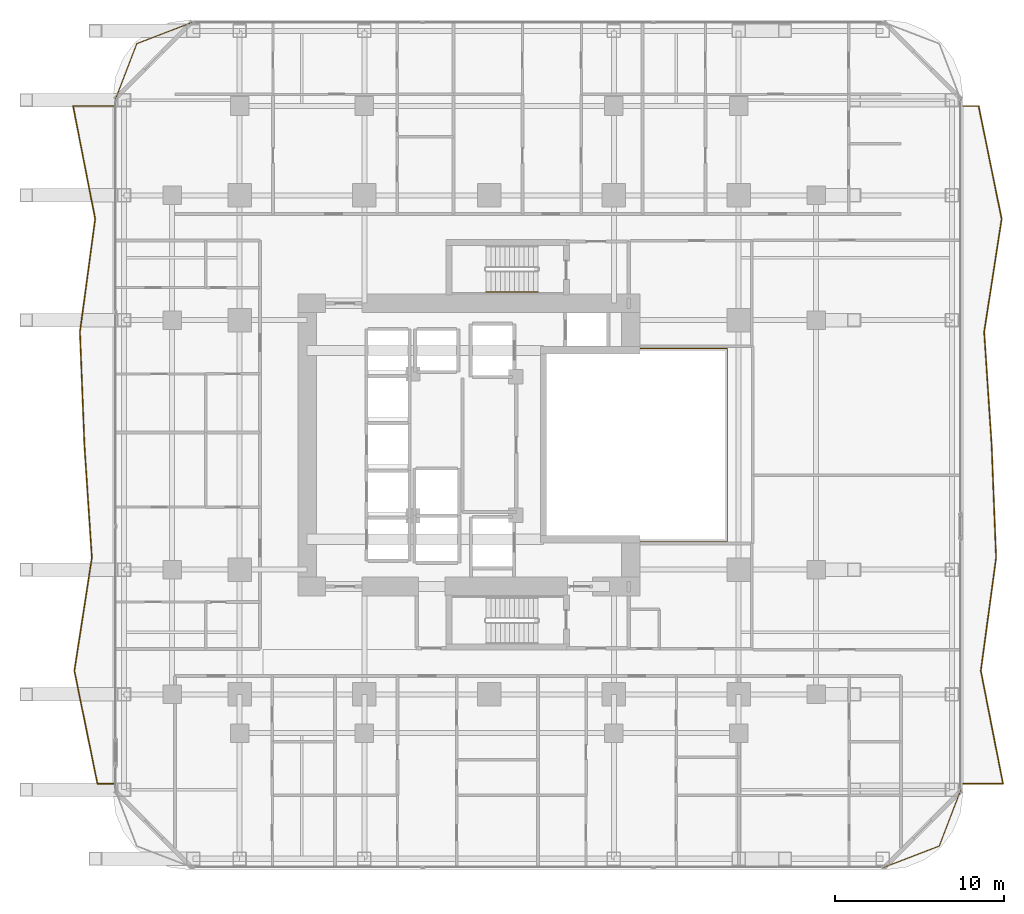
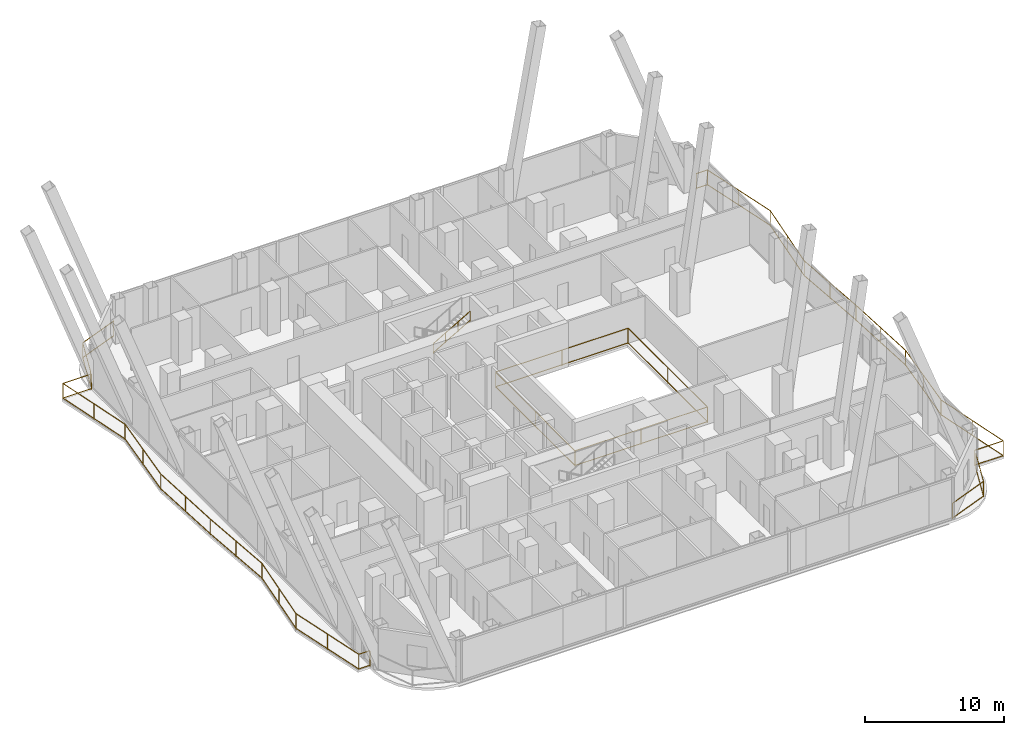
# One storey, part 32 of 33: 6 railings.
"""IFC4 building model written with IfcOpenShell, lengths in metres."""

from ifc_helpers import new_model, si_unit, direction, frame, origin, origin_2d, place, context, subcontext, project, spatial, rectangle, extrude, material, type_object, element, save


model = new_model("IFC4")

# Units and contexts
model_context = context("Model", 3, precision=1e-05, world=origin(), true_north=direction((0.0, 1.0)))
body_context = subcontext(model_context, "Body", "Model", "MODEL_VIEW")
ifc_project = project(units=[si_unit("LENGTHUNIT", "METRE"), si_unit("AREAUNIT", "SQUARE_METRE"), si_unit("VOLUMEUNIT", "CUBIC_METRE"), si_unit("PLANEANGLEUNIT", "RADIAN"), si_unit("MASSUNIT", "GRAM", prefix="KILO")], contexts=[model_context])

# Site, building, storey
site_placement = place(None, origin())
site = spatial("IfcSite", under=ifc_project, at=site_placement, CompositionType="ELEMENT")
building_placement = place(site_placement, origin())
building = spatial("IfcBuilding", under=site, at=building_placement, Name="Khorvyn Point Tower", CompositionType="ELEMENT")
storey_placement = place(building_placement, frame((0.0, 0.0, 38.39990234375)))
storey = spatial("IfcBuildingStorey", under=building, at=storey_placement, Name="L10", CompositionType="ELEMENT", Elevation=38.39990234375)

# Railings
ifc_material_1 = material(Name="Stainless steel 1.4401 and laminated glass", Category="steel")
railing_type_1 = type_object("IfcRailingType", Name="Crystal Atrium Smoke-Rated Perimeter Guardrail 1400", PredefinedType="GUARDRAIL", material=ifc_material_1)
railing_1_placement = place(storey_placement, frame((3.080078125, -5.719970703125, 0.0)))
element("IfcRailing", 1, at=railing_1_placement, inside=storey, type_object=railing_type_1, Name="L10 Crystal Atrium Perimeter Guardrail", PredefinedType="GUARDRAIL", context=body_context, shape_type="SweptSolid", body=[
    extrude(rectangle(XDim=0.048095703125, YDim=0.048095703125, at=origin_2d()), frame((0.0, 0.0, 1.3759765625), z_axis=(1.0, 0.0, 0.0), x_axis=(0.0, 1.0, 0.0)), (0.0, 0.0, 1.0), 11.0400390625),
    extrude(rectangle(XDim=0.048095703125, YDim=0.048095703125, at=origin_2d()), frame((0.0, 0.0, 0.080078125), z_axis=(1.0, 0.0, 0.0), x_axis=(0.0, 1.0, 0.0)), (0.0, 0.0, 1.0), 11.0400390625),
    extrude(rectangle(XDim=0.048095703125, YDim=0.048095703125, at=origin_2d()), frame((11.0400390625, 0.0, 1.3759765625), z_axis=(0.0, 1.0, 0.0), x_axis=(-1.0, 0.0, 0.0)), (0.0, 0.0, 1.0), 11.43994140625),
    extrude(rectangle(XDim=0.048095703125, YDim=0.048095703125, at=origin_2d()), frame((11.0400390625, 0.0, 0.080078125), z_axis=(0.0, 1.0, 0.0), x_axis=(-1.0, 0.0, 0.0)), (0.0, 0.0, 1.0), 11.43994140625),
    extrude(rectangle(XDim=0.048095703125, YDim=0.048095703125, at=origin_2d()), frame((11.0400390625, 11.43994140625, 1.3759765625), z_axis=(-1.0, 0.0, 0.0), x_axis=(0.0, -1.0, 0.0)), (0.0, 0.0, 1.0), 11.0400390625),
    extrude(rectangle(XDim=0.048095703125, YDim=0.048095703125, at=origin_2d()), frame((11.0400390625, 11.43994140625, 0.080078125), z_axis=(-1.0, 0.0, 0.0), x_axis=(0.0, -1.0, 0.0)), (0.0, 0.0, 1.0), 11.0400390625),
    extrude(rectangle(XDim=0.048095703125, YDim=0.048095703125, at=origin_2d()), frame((0.0, 11.43994140625, 1.3759765625), z_axis=(0.0, -1.0, 0.0), x_axis=(1.0, 0.0, 0.0)), (0.0, 0.0, 1.0), 11.409912109375),
    extrude(rectangle(XDim=0.048095703125, YDim=0.048095703125, at=origin_2d()), frame((0.0, 11.43994140625, 0.080078125), z_axis=(0.0, -1.0, 0.0), x_axis=(1.0, 0.0, 0.0)), (0.0, 0.0, 1.0), 11.409912109375),
    extrude(rectangle(XDim=0.0419921875, YDim=0.0419921875, at=origin_2d()), origin(), (0.0, 0.0, 1.0), 1.351806640625),
    extrude(rectangle(XDim=0.0419921875, YDim=0.0419921875, at=origin_2d()), frame((5.52001953125, 0.0, 0.0)), (0.0, 0.0, 1.0), 1.351806640625),
    extrude(rectangle(XDim=0.0419921875, YDim=0.0419921875, at=origin_2d()), frame((11.0400390625, 0.0, 0.0)), (0.0, 0.0, 1.0), 1.351806640625),
    extrude(rectangle(XDim=0.0419921875, YDim=0.0419921875, at=origin_2d()), frame((11.0400390625, 5.719970703125, 0.0)), (0.0, 0.0, 1.0), 1.351806640625),
    extrude(rectangle(XDim=0.0419921875, YDim=0.0419921875, at=origin_2d()), frame((11.0400390625, 11.43994140625, 0.0)), (0.0, 0.0, 1.0), 1.351806640625),
    extrude(rectangle(XDim=0.0419921875, YDim=0.0419921875, at=origin_2d()), frame((5.52001953125, 11.43994140625, 0.0)), (0.0, 0.0, 1.0), 1.351806640625),
    extrude(rectangle(XDim=0.0419921875, YDim=0.0419921875, at=origin_2d()), frame((0.0, 11.43994140625, 0.0)), (0.0, 0.0, 1.0), 1.351806640625),
    extrude(rectangle(XDim=0.0419921875, YDim=0.0419921875, at=origin_2d()), frame((0.0, 5.73486328125, 0.0)), (0.0, 0.0, 1.0), 1.351806640625),
    extrude(rectangle(XDim=0.0419921875, YDim=0.0419921875, at=origin_2d()), frame((0.0, 0.030029296875, 0.0)), (0.0, 0.0, 1.0), 1.351806640625),
])
ifc_material_2 = material(Name="Anodised aluminium 6063-T6 and laminated safety glass", Category="aluminium")
railing_type_2 = type_object("IfcRailingType", Name="Laminated Glass and Aluminium Balcony Guardrail 1400", PredefinedType="BALUSTRADE", material=ifc_material_2)
railing_2_placement = place(storey_placement, frame((-17.57080078125, 25.073974609375, 0.0)))
element("IfcRailing", 2, at=railing_2_placement, inside=storey, type_object=railing_type_2, Name="L10 Rounded Corner Edge Guardrail NW", PredefinedType="BALUSTRADE", context=body_context, shape_type="SweptSolid", body=[
    extrude(rectangle(XDim=0.048095703125, YDim=0.048095703125, at=origin_2d()), frame((0.0, 0.0, 1.3759765625), z_axis=(-0.933583807283, -0.358359142172, 0.0), x_axis=(0.358359142172, -0.933583807283, 0.0)), (0.0, 0.0, 1.0), 3.56298828125),
    extrude(rectangle(XDim=0.048095703125, YDim=0.048095703125, at=origin_2d()), frame((0.0, 0.0, 0.080078125), z_axis=(-0.933583807283, -0.358359142172, 0.0), x_axis=(0.358359142172, -0.933583807283, 0.0)), (0.0, 0.0, 1.0), 3.56298828125),
    extrude(rectangle(XDim=0.048095703125, YDim=0.048095703125, at=origin_2d()), frame((-3.326416015625, -1.27685546875, 1.3759765625), z_axis=(-0.358359142172, -0.933583807283, 0.0), x_axis=(0.933583807283, -0.358359142172, 0.0)), (0.0, 0.0, 1.0), 3.56298828125),
    extrude(rectangle(XDim=0.048095703125, YDim=0.048095703125, at=origin_2d()), frame((-3.326416015625, -1.27685546875, 0.080078125), z_axis=(-0.358359142172, -0.933583807283, 0.0), x_axis=(0.933583807283, -0.358359142172, 0.0)), (0.0, 0.0, 1.0), 3.56298828125),
    extrude(rectangle(XDim=0.0419921875, YDim=0.0419921875, at=origin_2d()), origin(), (0.0, 0.0, 1.0), 1.351806640625),
    extrude(rectangle(XDim=0.0419921875, YDim=0.0419921875, at=origin_2d()), frame((-3.326416015625, -1.27685546875, 0.0)), (0.0, 0.0, 1.0), 1.351806640625),
    extrude(rectangle(XDim=0.0419921875, YDim=0.0419921875, at=origin_2d()), frame((-4.603271484375, -4.603271484375, 0.0)), (0.0, 0.0, 1.0), 1.351806640625),
])
railing_3_placement = place(storey_placement, frame((23.370849609375, -25.073974609375, 0.0)))
element("IfcRailing", 3, at=railing_3_placement, inside=storey, type_object=railing_type_2, Name="L10 Rounded Corner Edge Guardrail SE", PredefinedType="BALUSTRADE", context=body_context, shape_type="SweptSolid", body=[
    extrude(rectangle(XDim=0.048095703125, YDim=0.048095703125, at=origin_2d()), frame((0.0, 0.0, 1.3759765625), z_axis=(0.933575007025, 0.358382067435, 0.0), x_axis=(-0.358382067435, 0.933575007025, 0.0)), (0.0, 0.0, 1.0), 3.562744140625),
    extrude(rectangle(XDim=0.048095703125, YDim=0.048095703125, at=origin_2d()), frame((0.0, 0.0, 0.080078125), z_axis=(0.933575007025, 0.358382067435, 0.0), x_axis=(-0.358382067435, 0.933575007025, 0.0)), (0.0, 0.0, 1.0), 3.562744140625),
    extrude(rectangle(XDim=0.048095703125, YDim=0.048095703125, at=origin_2d()), frame((3.326171875, 1.27685546875, 1.3759765625), z_axis=(0.35841886047, 0.933560882031, 0.0), x_axis=(-0.933560882031, 0.35841886047, 0.0)), (0.0, 0.0, 1.0), 3.563232421875),
    extrude(rectangle(XDim=0.048095703125, YDim=0.048095703125, at=origin_2d()), frame((3.326171875, 1.27685546875, 0.080078125), z_axis=(0.35841886047, 0.933560882031, 0.0), x_axis=(-0.933560882031, 0.35841886047, 0.0)), (0.0, 0.0, 1.0), 3.563232421875),
    extrude(rectangle(XDim=0.0419921875, YDim=0.0419921875, at=origin_2d()), origin(), (0.0, 0.0, 1.0), 1.351806640625),
    extrude(rectangle(XDim=0.0419921875, YDim=0.0419921875, at=origin_2d()), frame((3.326171875, 1.27685546875, 0.0)), (0.0, 0.0, 1.0), 1.351806640625),
    extrude(rectangle(XDim=0.0419921875, YDim=0.0419921875, at=origin_2d()), frame((4.603271484375, 4.603271484375, 0.0)), (0.0, 0.0, 1.0), 1.351806640625),
])
railing_4_placement = place(storey_placement, frame((28.10009765625, -20.10009765625, 0.0)))
element("IfcRailing", 4, at=railing_4_placement, inside=storey, type_object=railing_type_2, Name="L10 East Balcony Guardrail", PredefinedType="BALUSTRADE", context=body_context, shape_type="SweptSolid", body=[
    extrude(rectangle(XDim=0.048095703125, YDim=0.048095703125, at=origin_2d()), frame((0.0, 0.0, 1.3759765625), z_axis=(1.0, 0.0, 0.0), x_axis=(0.0, 1.0, 0.0)), (0.0, 0.0, 1.0), 2.37841796875),
    extrude(rectangle(XDim=0.048095703125, YDim=0.048095703125, at=origin_2d()), frame((0.0, 0.0, 0.080078125), z_axis=(1.0, 0.0, 0.0), x_axis=(0.0, 1.0, 0.0)), (0.0, 0.0, 1.0), 2.37841796875),
    extrude(rectangle(XDim=0.048095703125, YDim=0.048095703125, at=origin_2d()), frame((2.37841796875, 0.0, 1.3759765625), z_axis=(-0.192339516388, 0.981328441673, 0.0), x_axis=(-0.981328441673, -0.192339516388, 0.0)), (0.0, 0.0, 1.0), 6.82763671875),
    extrude(rectangle(XDim=0.048095703125, YDim=0.048095703125, at=origin_2d()), frame((2.37841796875, 0.0, 0.080078125), z_axis=(-0.192339516388, 0.981328441673, 0.0), x_axis=(-0.981328441673, -0.192339516388, 0.0)), (0.0, 0.0, 1.0), 6.82763671875),
    extrude(rectangle(XDim=0.048095703125, YDim=0.048095703125, at=origin_2d()), frame((1.065185546875, 6.7001953125, 1.3759765625), z_axis=(0.133757826576, 0.99101404825, 0.0), x_axis=(-0.99101404825, 0.133757826576, 0.0)), (0.0, 0.0, 1.0), 6.7607421875),
    extrude(rectangle(XDim=0.048095703125, YDim=0.048095703125, at=origin_2d()), frame((1.065185546875, 6.7001953125, 0.080078125), z_axis=(0.133757826576, 0.99101404825, 0.0), x_axis=(-0.99101404825, 0.133757826576, 0.0)), (0.0, 0.0, 1.0), 6.7607421875),
    extrude(rectangle(XDim=0.048095703125, YDim=0.048095703125, at=origin_2d()), frame((1.969482421875, 13.400146484375, 1.3759765625), z_axis=(-0.039469275606, 0.999220784553, 0.0), x_axis=(-0.999220784553, -0.039469275606, 0.0)), (0.0, 0.0, 1.0), 6.705078125),
    extrude(rectangle(XDim=0.048095703125, YDim=0.048095703125, at=origin_2d()), frame((1.969482421875, 13.400146484375, 0.080078125), z_axis=(-0.039469275606, 0.999220784553, 0.0), x_axis=(-0.999220784553, -0.039469275606, 0.0)), (0.0, 0.0, 1.0), 6.705078125),
    extrude(rectangle(XDim=0.048095703125, YDim=0.048095703125, at=origin_2d()), frame((1.704833984375, 20.10009765625, 1.3759765625), z_axis=(-0.06588430605, 0.997827268728, 0.0), x_axis=(-0.997827268728, -0.06588430605, 0.0)), (0.0, 0.0, 1.0), 6.714599609375),
    extrude(rectangle(XDim=0.048095703125, YDim=0.048095703125, at=origin_2d()), frame((1.704833984375, 20.10009765625, 0.080078125), z_axis=(-0.06588430605, 0.997827268728, 0.0), x_axis=(-0.997827268728, -0.06588430605, 0.0)), (0.0, 0.0, 1.0), 6.714599609375),
    extrude(rectangle(XDim=0.048095703125, YDim=0.048095703125, at=origin_2d()), frame((1.262451171875, 26.800048828125, 1.3759765625), z_axis=(0.152901402599, 0.988241448778, 0.0), x_axis=(-0.988241448778, 0.152901402599, 0.0)), (0.0, 0.0, 1.0), 6.77978515625),
    extrude(rectangle(XDim=0.048095703125, YDim=0.048095703125, at=origin_2d()), frame((1.262451171875, 26.800048828125, 0.080078125), z_axis=(0.152901402599, 0.988241448778, 0.0), x_axis=(-0.988241448778, 0.152901402599, 0.0)), (0.0, 0.0, 1.0), 6.77978515625),
    extrude(rectangle(XDim=0.048095703125, YDim=0.048095703125, at=origin_2d()), frame((2.299072265625, 33.5, 1.3759765625), z_axis=(-0.19982920422, 0.97983074515, 0.0), x_axis=(-0.97983074515, -0.19982920422, 0.0)), (0.0, 0.0, 1.0), 6.838134765625),
    extrude(rectangle(XDim=0.048095703125, YDim=0.048095703125, at=origin_2d()), frame((2.299072265625, 33.5, 0.080078125), z_axis=(-0.19982920422, 0.97983074515, 0.0), x_axis=(-0.97983074515, -0.19982920422, 0.0)), (0.0, 0.0, 1.0), 6.838134765625),
    extrude(rectangle(XDim=0.048095703125, YDim=0.048095703125, at=origin_2d()), frame((0.9326171875, 40.2001953125, 1.3759765625), z_axis=(-1.0, 0.0, 0.0), x_axis=(0.0, -1.0, 0.0)), (0.0, 0.0, 1.0), 0.9326171875),
    extrude(rectangle(XDim=0.048095703125, YDim=0.048095703125, at=origin_2d()), frame((0.9326171875, 40.2001953125, 0.080078125), z_axis=(-1.0, 0.0, 0.0), x_axis=(0.0, -1.0, 0.0)), (0.0, 0.0, 1.0), 0.9326171875),
    extrude(rectangle(XDim=0.0419921875, YDim=0.0419921875, at=origin_2d()), origin(), (0.0, 0.0, 1.0), 1.351806640625),
    extrude(rectangle(XDim=0.0419921875, YDim=0.0419921875, at=origin_2d()), frame((2.37841796875, 0.0, 0.0)), (0.0, 0.0, 1.0), 1.351806640625),
    extrude(rectangle(XDim=0.0419921875, YDim=0.0419921875, at=origin_2d()), frame((1.7216796875, 3.35009765625, 0.0)), (0.0, 0.0, 1.0), 1.351806640625),
    extrude(rectangle(XDim=0.0419921875, YDim=0.0419921875, at=origin_2d()), frame((1.065185546875, 6.7001953125, 0.0)), (0.0, 0.0, 1.0), 1.351806640625),
    extrude(rectangle(XDim=0.0419921875, YDim=0.0419921875, at=origin_2d()), frame((1.517333984375, 10.05029296875, 0.0)), (0.0, 0.0, 1.0), 1.351806640625),
    extrude(rectangle(XDim=0.0419921875, YDim=0.0419921875, at=origin_2d()), frame((1.969482421875, 13.400146484375, 0.0)), (0.0, 0.0, 1.0), 1.351806640625),
    extrude(rectangle(XDim=0.0419921875, YDim=0.0419921875, at=origin_2d()), frame((1.837158203125, 16.75, 0.0)), (0.0, 0.0, 1.0), 1.351806640625),
    extrude(rectangle(XDim=0.0419921875, YDim=0.0419921875, at=origin_2d()), frame((1.704833984375, 20.10009765625, 0.0)), (0.0, 0.0, 1.0), 1.351806640625),
    extrude(rectangle(XDim=0.0419921875, YDim=0.0419921875, at=origin_2d()), frame((1.483642578125, 23.4501953125, 0.0)), (0.0, 0.0, 1.0), 1.351806640625),
    extrude(rectangle(XDim=0.0419921875, YDim=0.0419921875, at=origin_2d()), frame((1.262451171875, 26.800048828125, 0.0)), (0.0, 0.0, 1.0), 1.351806640625),
    extrude(rectangle(XDim=0.0419921875, YDim=0.0419921875, at=origin_2d()), frame((1.78076171875, 30.14990234375, 0.0)), (0.0, 0.0, 1.0), 1.351806640625),
    extrude(rectangle(XDim=0.0419921875, YDim=0.0419921875, at=origin_2d()), frame((2.299072265625, 33.5, 0.0)), (0.0, 0.0, 1.0), 1.351806640625),
    extrude(rectangle(XDim=0.0419921875, YDim=0.0419921875, at=origin_2d()), frame((1.61572265625, 36.85009765625, 0.0)), (0.0, 0.0, 1.0), 1.351806640625),
    extrude(rectangle(XDim=0.0419921875, YDim=0.0419921875, at=origin_2d()), frame((0.9326171875, 40.2001953125, 0.0)), (0.0, 0.0, 1.0), 1.351806640625),
    extrude(rectangle(XDim=0.0419921875, YDim=0.0419921875, at=origin_2d()), frame((0.0, 40.2001953125, 0.0)), (0.0, 0.0, 1.0), 1.351806640625),
])
railing_5_placement = place(storey_placement, frame((-22.300048828125, 20.10009765625, 0.0)))
element("IfcRailing", 5, at=railing_5_placement, inside=storey, type_object=railing_type_2, Name="L10 West Balcony Guardrail", PredefinedType="BALUSTRADE", context=body_context, shape_type="SweptSolid", body=[
    extrude(rectangle(XDim=0.048095703125, YDim=0.048095703125, at=origin_2d()), frame((0.0, 0.0, 1.3759765625), z_axis=(-1.0, 0.0, 0.0), x_axis=(0.0, -1.0, 0.0)), (0.0, 0.0, 1.0), 2.37841796875),
    extrude(rectangle(XDim=0.048095703125, YDim=0.048095703125, at=origin_2d()), frame((0.0, 0.0, 0.080078125), z_axis=(-1.0, 0.0, 0.0), x_axis=(0.0, -1.0, 0.0)), (0.0, 0.0, 1.0), 2.37841796875),
    extrude(rectangle(XDim=0.048095703125, YDim=0.048095703125, at=origin_2d()), frame((-2.37841796875, 0.0, 1.3759765625), z_axis=(0.192305081377, -0.981335190277, 0.0), x_axis=(0.981335190277, 0.192305081377, 0.0)), (0.0, 0.0, 1.0), 6.82763671875),
    extrude(rectangle(XDim=0.048095703125, YDim=0.048095703125, at=origin_2d()), frame((-2.37841796875, 0.0, 0.080078125), z_axis=(0.192305081377, -0.981335190277, 0.0), x_axis=(0.981335190277, 0.192305081377, 0.0)), (0.0, 0.0, 1.0), 6.82763671875),
    extrude(rectangle(XDim=0.048095703125, YDim=0.048095703125, at=origin_2d()), frame((-1.0654296875, -6.7001953125, 1.3759765625), z_axis=(-0.133722360675, -0.991018834461, 0.0), x_axis=(0.991018834461, -0.133722360675, 0.0)), (0.0, 0.0, 1.0), 6.7607421875),
    extrude(rectangle(XDim=0.048095703125, YDim=0.048095703125, at=origin_2d()), frame((-1.0654296875, -6.7001953125, 0.080078125), z_axis=(-0.133722360675, -0.991018834461, 0.0), x_axis=(0.991018834461, -0.133722360675, 0.0)), (0.0, 0.0, 1.0), 6.7607421875),
    extrude(rectangle(XDim=0.048095703125, YDim=0.048095703125, at=origin_2d()), frame((-1.969482421875, -13.400146484375, 1.3759765625), z_axis=(0.039469275606, -0.999220784553, 0.0), x_axis=(0.999220784553, 0.039469275606, 0.0)), (0.0, 0.0, 1.0), 6.705078125),
    extrude(rectangle(XDim=0.048095703125, YDim=0.048095703125, at=origin_2d()), frame((-1.969482421875, -13.400146484375, 0.080078125), z_axis=(0.039469275606, -0.999220784553, 0.0), x_axis=(0.999220784553, 0.039469275606, 0.0)), (0.0, 0.0, 1.0), 6.705078125),
    extrude(rectangle(XDim=0.048095703125, YDim=0.048095703125, at=origin_2d()), frame((-1.704833984375, -20.10009765625, 1.3759765625), z_axis=(0.06588430605, -0.997827268728, 0.0), x_axis=(0.997827268728, 0.06588430605, 0.0)), (0.0, 0.0, 1.0), 6.714599609375),
    extrude(rectangle(XDim=0.048095703125, YDim=0.048095703125, at=origin_2d()), frame((-1.704833984375, -20.10009765625, 0.080078125), z_axis=(0.06588430605, -0.997827268728, 0.0), x_axis=(0.997827268728, 0.06588430605, 0.0)), (0.0, 0.0, 1.0), 6.714599609375),
    extrude(rectangle(XDim=0.048095703125, YDim=0.048095703125, at=origin_2d()), frame((-1.262451171875, -26.800048828125, 1.3759765625), z_axis=(-0.152901402599, -0.988241448778, 0.0), x_axis=(0.988241448778, -0.152901402599, 0.0)), (0.0, 0.0, 1.0), 6.77978515625),
    extrude(rectangle(XDim=0.048095703125, YDim=0.048095703125, at=origin_2d()), frame((-1.262451171875, -26.800048828125, 0.080078125), z_axis=(-0.152901402599, -0.988241448778, 0.0), x_axis=(0.988241448778, -0.152901402599, 0.0)), (0.0, 0.0, 1.0), 6.77978515625),
    extrude(rectangle(XDim=0.048095703125, YDim=0.048095703125, at=origin_2d()), frame((-2.299072265625, -33.5, 1.3759765625), z_axis=(0.19982920422, -0.97983074515, 0.0), x_axis=(0.97983074515, 0.19982920422, 0.0)), (0.0, 0.0, 1.0), 6.838134765625),
    extrude(rectangle(XDim=0.048095703125, YDim=0.048095703125, at=origin_2d()), frame((-2.299072265625, -33.5, 0.080078125), z_axis=(0.19982920422, -0.97983074515, 0.0), x_axis=(0.97983074515, 0.19982920422, 0.0)), (0.0, 0.0, 1.0), 6.838134765625),
    extrude(rectangle(XDim=0.048095703125, YDim=0.048095703125, at=origin_2d()), frame((-0.9326171875, -40.2001953125, 1.3759765625), z_axis=(1.0, 0.0, 0.0), x_axis=(0.0, 1.0, 0.0)), (0.0, 0.0, 1.0), 0.9326171875),
    extrude(rectangle(XDim=0.048095703125, YDim=0.048095703125, at=origin_2d()), frame((-0.9326171875, -40.2001953125, 0.080078125), z_axis=(1.0, 0.0, 0.0), x_axis=(0.0, 1.0, 0.0)), (0.0, 0.0, 1.0), 0.9326171875),
    extrude(rectangle(XDim=0.0419921875, YDim=0.0419921875, at=origin_2d()), origin(), (0.0, 0.0, 1.0), 1.351806640625),
    extrude(rectangle(XDim=0.0419921875, YDim=0.0419921875, at=origin_2d()), frame((-2.37841796875, 0.0, 0.0)), (0.0, 0.0, 1.0), 1.351806640625),
    extrude(rectangle(XDim=0.0419921875, YDim=0.0419921875, at=origin_2d()), frame((-1.721923828125, -3.35009765625, 0.0)), (0.0, 0.0, 1.0), 1.351806640625),
    extrude(rectangle(XDim=0.0419921875, YDim=0.0419921875, at=origin_2d()), frame((-1.0654296875, -6.7001953125, 0.0)), (0.0, 0.0, 1.0), 1.351806640625),
    extrude(rectangle(XDim=0.0419921875, YDim=0.0419921875, at=origin_2d()), frame((-1.517578125, -10.05029296875, 0.0)), (0.0, 0.0, 1.0), 1.351806640625),
    extrude(rectangle(XDim=0.0419921875, YDim=0.0419921875, at=origin_2d()), frame((-1.969482421875, -13.400146484375, 0.0)), (0.0, 0.0, 1.0), 1.351806640625),
    extrude(rectangle(XDim=0.0419921875, YDim=0.0419921875, at=origin_2d()), frame((-1.837158203125, -16.75, 0.0)), (0.0, 0.0, 1.0), 1.351806640625),
    extrude(rectangle(XDim=0.0419921875, YDim=0.0419921875, at=origin_2d()), frame((-1.704833984375, -20.10009765625, 0.0)), (0.0, 0.0, 1.0), 1.351806640625),
    extrude(rectangle(XDim=0.0419921875, YDim=0.0419921875, at=origin_2d()), frame((-1.483642578125, -23.4501953125, 0.0)), (0.0, 0.0, 1.0), 1.351806640625),
    extrude(rectangle(XDim=0.0419921875, YDim=0.0419921875, at=origin_2d()), frame((-1.262451171875, -26.800048828125, 0.0)), (0.0, 0.0, 1.0), 1.351806640625),
    extrude(rectangle(XDim=0.0419921875, YDim=0.0419921875, at=origin_2d()), frame((-1.78076171875, -30.14990234375, 0.0)), (0.0, 0.0, 1.0), 1.351806640625),
    extrude(rectangle(XDim=0.0419921875, YDim=0.0419921875, at=origin_2d()), frame((-2.299072265625, -33.5, 0.0)), (0.0, 0.0, 1.0), 1.351806640625),
    extrude(rectangle(XDim=0.0419921875, YDim=0.0419921875, at=origin_2d()), frame((-1.61572265625, -36.85009765625, 0.0)), (0.0, 0.0, 1.0), 1.351806640625),
    extrude(rectangle(XDim=0.0419921875, YDim=0.0419921875, at=origin_2d()), frame((-0.9326171875, -40.2001953125, 0.0)), (0.0, 0.0, 1.0), 1.351806640625),
    extrude(rectangle(XDim=0.0419921875, YDim=0.0419921875, at=origin_2d()), frame((0.0, -40.2001953125, 0.0)), (0.0, 0.0, 1.0), 1.351806640625),
])
ifc_material_3 = material(Name="Stainless steel 1.4301", Category="steel")
railing_type_3 = type_object("IfcRailingType", Name="Stainless Steel 304 Stair Pitch Handrail 900", PredefinedType="HANDRAIL", material=ifc_material_3)
railing_6_placement = place(storey_placement, frame((-0.179931640625, 9.070068359375, 2.112548828125)))
element("IfcRailing", 6, at=railing_6_placement, inside=storey, type_object=railing_type_3, Name="L10 ST-02 stair handrail 2", PredefinedType="HANDRAIL", context=body_context, shape_type="SweptSolid", body=[
    extrude(rectangle(XDim=0.048095703125, YDim=0.048095703125, at=origin_2d()), frame((0.0, 0.0, 0.8759765625), z_axis=(0.864873446163, 0.0, 0.501989962173), x_axis=(0.0, 1.0, 0.0)), (0.0, 0.0, 1.0), 3.56103515625),
    extrude(rectangle(XDim=0.048095703125, YDim=0.048095703125, at=origin_2d()), frame((0.0, 0.0, 0.080078125), z_axis=(0.864873446163, 0.0, 0.501989962173), x_axis=(0.0, 1.0, 0.0)), (0.0, 0.0, 1.0), 3.56103515625),
    extrude(rectangle(XDim=0.0419921875, YDim=0.0419921875, at=origin_2d()), origin(), (0.0, 0.0, 1.0), 0.851806640625),
    extrude(rectangle(XDim=0.0419921875, YDim=0.0419921875, at=origin_2d()), frame((1.026611328125, 0.0, 0.595947265625)), (0.0, 0.0, 1.0), 0.851806640625),
    extrude(rectangle(XDim=0.0419921875, YDim=0.0419921875, at=origin_2d()), frame((2.05322265625, 0.0, 1.191650390625)), (0.0, 0.0, 1.0), 0.851806640625),
    extrude(rectangle(XDim=0.0419921875, YDim=0.0419921875, at=origin_2d()), frame((3.079833984375, 0.0, 1.78759765625)), (0.0, 0.0, 1.0), 0.851806640625),
])

save(model, "model.ifc")
